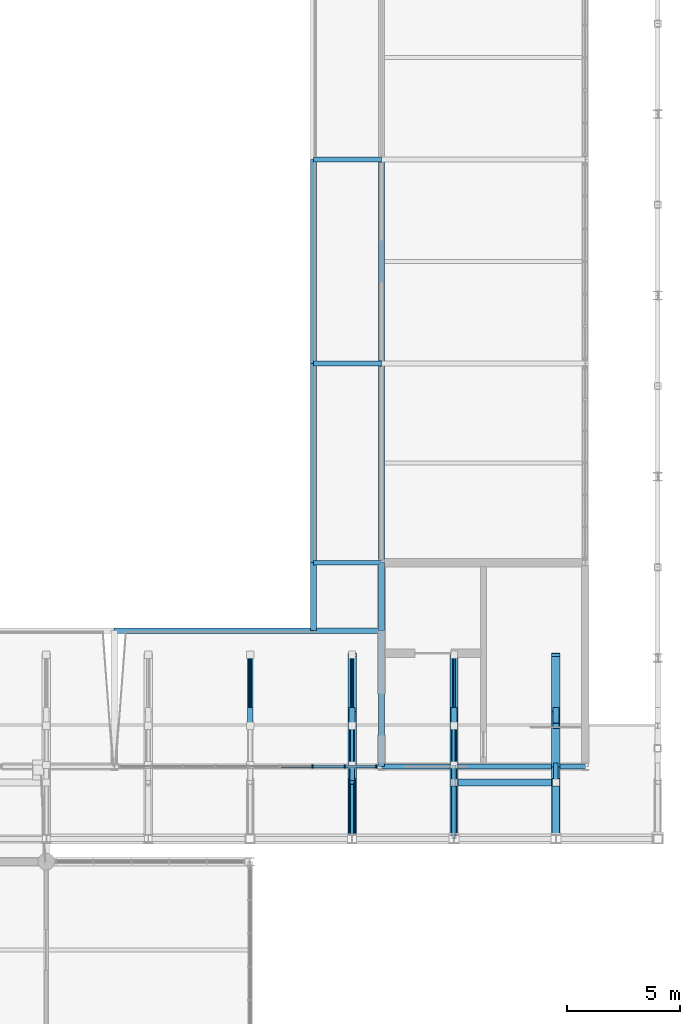
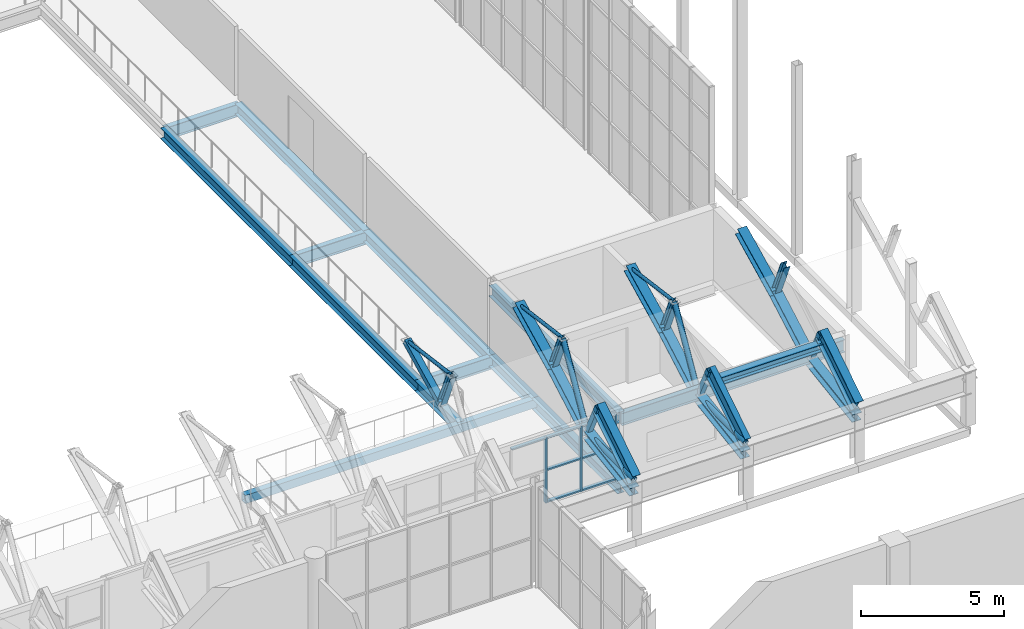
# One storey, part 80 of 134: 35 members, 16 beams, 1 element without a shape of its own.
"""IFC4 building model written with IfcOpenShell, lengths in metres."""

from ifc_helpers import new_model, si_unit, direction, frame, origin, origin_2d, place, context, subcontext, project, spatial, rectangle, hollow_rectangle, hollow_circle, i_section, extrude, material, layer, layer_set, material_profile, profile_set, type_object, element, aggregate, save


model = new_model("IFC4")

# Units and contexts
model_context = context("Model", 3, precision=1e-05, world=origin(), true_north=direction((0.0, 1.0)))
body_context = subcontext(model_context, "Body", "Model", "MODEL_VIEW")
ifc_project = project(units=[si_unit("LENGTHUNIT", "METRE"), si_unit("AREAUNIT", "SQUARE_METRE"), si_unit("VOLUMEUNIT", "CUBIC_METRE"), si_unit("PLANEANGLEUNIT", "RADIAN"), si_unit("MASSUNIT", "GRAM", prefix="KILO")], contexts=[model_context])

# Site, building, storey
site_placement = place(None, origin())
site = spatial("IfcSite", under=ifc_project, at=site_placement, CompositionType="ELEMENT")
building_placement = place(site_placement, origin())
building = spatial("IfcBuilding", under=site, at=building_placement, Name="Cazmaro Siding Exhibition Halls", CompositionType="ELEMENT")
storey_placement = place(building_placement, frame((0.0, 0.0, 12.0)))
storey = spatial("IfcBuildingStorey", under=building, at=storey_placement, Name="L02", CompositionType="ELEMENT", Elevation=12.0)

# Beams
ifc_material_1 = material(Name="Steel ASTM A992 Grade 50", Category="steel")
ifc_material_profile_1 = material_profile(ifc_material_1, i_section(OverallWidth=0.327880859375, OverallDepth=0.626953125, WebThickness=0.01708984375, FlangeThickness=0.028076171875, at=origin_2d()), Name="W24X146")
ifc_profile_set_1 = profile_set([ifc_material_profile_1], Name="Steel ASTM A992 Grade 50")
beam_type_1 = type_object("IfcBeamType", Name="AR-01", PredefinedType="USERDEFINED", material=ifc_profile_set_1)
beam_1_placement = place(storey_placement, frame((166.5, 64.0, 2.300048828125), z_axis=(0.0, 0.843339173298, 0.537381650954), x_axis=(-1.0, 0.0, 0.0)))
element("IfcBeam", 1, at=beam_1_placement, inside=storey, type_object=beam_type_1, Name="Space frame barrel vault arched rib AR-01 BM-1183", ObjectType="ARCHED RIB", PredefinedType="USERDEFINED", context=body_context, shape_type="SweptSolid", body=[
    extrude(i_section(OverallWidth=0.327880859375, OverallDepth=0.626953125, WebThickness=0.01708984375, FlangeThickness=0.028076171875, at=origin_2d()), origin(), (0.0, 0.0, 1.0), 2.96435546875),
])
ifc_material_2 = material(Name="Steel ASTM A992 Grade 50", Category="steel")
ifc_material_profile_2 = material_profile(ifc_material_2, i_section(OverallWidth=0.324951171875, OverallDepth=0.612060546875, WebThickness=0.012939453125, FlangeThickness=0.01904296875, at=origin_2d()), Name="W24X104")
ifc_profile_set_2 = profile_set([ifc_material_profile_2], Name="Steel ASTM A992 Grade 50")
beam_type_2 = type_object("IfcBeamType", Name="AR-02", PredefinedType="USERDEFINED", material=ifc_profile_set_2)
beam_2_placement = place(storey_placement, frame((157.5, 64.0, 2.300048828125), z_axis=(0.0, 0.843339173298, 0.537381650954), x_axis=(-1.0, 0.0, 0.0)))
element("IfcBeam", 2, at=beam_2_placement, inside=storey, type_object=beam_type_2, Name="Space frame barrel vault arched rib AR-02 BM-1135", ObjectType="ARCHED RIB", PredefinedType="USERDEFINED", context=body_context, shape_type="SweptSolid", body=[
    extrude(i_section(OverallWidth=0.324951171875, OverallDepth=0.612060546875, WebThickness=0.012939453125, FlangeThickness=0.01904296875, at=origin_2d()), origin(), (0.0, 0.0, 1.0), 2.96435546875),
])
ifc_material_3 = material(Name="Steel ASTM A992 Grade 50", Category="steel")
ifc_material_profile_3 = material_profile(ifc_material_3, i_section(OverallWidth=0.22900390625, OverallDepth=0.612060546875, WebThickness=0.011962890625, FlangeThickness=0.02001953125, at=origin_2d()), Name="W24X84")
ifc_profile_set_3 = profile_set([ifc_material_profile_3], Name="Steel ASTM A992 Grade 50")
beam_type_3 = type_object("IfcBeamType", Name="AR-03", PredefinedType="USERDEFINED", material=ifc_profile_set_3)
beam_3_placement = place(storey_placement, frame((162.0, 64.0, 2.300048828125), z_axis=(0.0, 0.843339173298, 0.537381650954), x_axis=(-1.0, 0.0, 0.0)))
element("IfcBeam", 3, at=beam_3_placement, inside=storey, type_object=beam_type_3, Name="Space frame barrel vault arched rib AR-03 BM-1159", ObjectType="ARCHED RIB", PredefinedType="USERDEFINED", context=body_context, shape_type="SweptSolid", body=[
    extrude(i_section(OverallWidth=0.22900390625, OverallDepth=0.612060546875, WebThickness=0.011962890625, FlangeThickness=0.02001953125, at=origin_2d()), origin(), (0.0, 0.0, 1.0), 2.96435546875),
])
ifc_material_4 = material(Name="Steel ASTM A992 Grade 50", Category="steel")
ifc_material_profile_4 = material_profile(ifc_material_4, i_section(OverallWidth=0.2099609375, OverallDepth=0.535888671875, WebThickness=0.010986328125, FlangeThickness=0.01708984375, at=origin_2d()), Name="W21X68")
ifc_profile_set_4 = profile_set([ifc_material_profile_4], Name="Steel ASTM A992 Grade 50")
beam_type_4 = type_object("IfcBeamType", Name="B-02", PredefinedType="BEAM", material=ifc_profile_set_4)
beam_4_placement = place(storey_placement, frame((158.800048828125, 67.199951171875, 2.52197265625), z_axis=(1.0, 0.0, 0.0), x_axis=(0.0, 1.0, 0.0)))
element("IfcBeam", 4, at=beam_4_placement, inside=storey, type_object=beam_type_4, Name="Beam B-02 BM-0257", PredefinedType="BEAM", context=body_context, shape_type="SweptSolid", body=[
    extrude(i_section(OverallWidth=0.2099609375, OverallDepth=0.535888671875, WebThickness=0.010986328125, FlangeThickness=0.01708984375, at=origin_2d()), origin(), (0.0, 0.0, 1.0), 9.0),
])
for number, where, z_axis, x_axis, name in (
    (5, (155.800048828125, 76.199951171875, -0.488037109375), (1.0, 0.0, 0.0), (0.0, 1.0, 0.0), "Beam B-02 BM-0508"),
    (6, (155.800048828125, 85.0, -0.488037109375), (1.0, 0.0, 0.0), (0.0, 1.0, 0.0), "Beam B-02 BM-0509"),
    (7, (155.800048828125, 94.0, -0.488037109375), (1.0, 0.0, 0.0), (0.0, 1.0, 0.0), "Beam B-02 BM-0510"),
):
    element("IfcBeam", number, at=place(storey_placement, frame(where, z_axis=z_axis, x_axis=x_axis)), inside=storey, type_object=beam_type_4, Name=name, PredefinedType="BEAM", context=body_context, shape_type="SweptSolid", body=[
        extrude(i_section(OverallWidth=0.2099609375, OverallDepth=0.535888671875, WebThickness=0.010986328125, FlangeThickness=0.01708984375, at=origin_2d()), origin(), (0.0, 0.0, 1.0), 3.0),
    ])
ifc_material_5 = material(Name="Steel ASTM A992 Grade 50", Category="steel")
ifc_material_profile_5 = material_profile(ifc_material_5, i_section(OverallWidth=0.279052734375, OverallDepth=0.4619140625, WebThickness=0.010986328125, FlangeThickness=0.01708984375, at=origin_2d()), Name="W18X76")
ifc_profile_set_5 = profile_set([ifc_material_profile_5], Name="Steel ASTM A992 Grade 50")
beam_type_5 = type_object("IfcBeamType", Name="B-03", PredefinedType="BEAM", material=ifc_profile_set_5)
beam_5_placement = place(storey_placement, frame((158.800048828125, 67.199951171875, 2.55908203125), z_axis=(0.0, 1.0, 0.0), x_axis=(-1.0, 0.0, 0.0)))
element("IfcBeam", 8, at=beam_5_placement, inside=storey, type_object=beam_type_5, Name="Beam B-03 BM-0259", PredefinedType="BEAM", context=body_context, shape_type="SweptSolid", body=[
    extrude(i_section(OverallWidth=0.279052734375, OverallDepth=0.4619140625, WebThickness=0.010986328125, FlangeThickness=0.01708984375, at=origin_2d()), origin(), (0.0, 0.0, 1.0), 9.0),
])
beam_6_placement = place(storey_placement, frame((158.800048828125, 67.199951171875, -0.450927734375), z_axis=(0.0, 1.0, 0.0), x_axis=(-1.0, 0.0, 0.0)))
element("IfcBeam", 9, at=beam_6_placement, inside=storey, type_object=beam_type_5, Name="Beam B-03 BM-0484", PredefinedType="BEAM", context=body_context, shape_type="SweptSolid", body=[
    extrude(i_section(OverallWidth=0.279052734375, OverallDepth=0.4619140625, WebThickness=0.010986328125, FlangeThickness=0.01708984375, at=origin_2d()), origin(), (0.0, 0.0, 1.0), 6.0),
])
for number, where, z_axis, x_axis, name in (
    (10, (155.800048828125, 76.199951171875, -0.450927734375), (0.0, 1.0, 0.0), (-1.0, 0.0, 0.0), "Beam B-03 BM-0512"),
    (11, (158.800048828125, 76.199951171875, -0.450927734375), (0.0, 1.0, 0.0), (-1.0, 0.0, 0.0), "Beam B-03 BM-0513"),
):
    element("IfcBeam", number, at=place(storey_placement, frame(where, z_axis=z_axis, x_axis=x_axis)), inside=storey, type_object=beam_type_5, Name=name, PredefinedType="BEAM", context=body_context, shape_type="SweptSolid", body=[
        extrude(i_section(OverallWidth=0.279052734375, OverallDepth=0.4619140625, WebThickness=0.010986328125, FlangeThickness=0.01708984375, at=origin_2d()), origin(), (0.0, 0.0, 1.0), 8.800048828125),
    ])
for number, where, z_axis, x_axis, name in (
    (12, (155.800048828125, 85.0, -0.450927734375), (0.0, 1.0, 0.0), (-1.0, 0.0, 0.0), "Beam B-03 BM-0514"),
    (13, (158.800048828125, 85.0, -0.450927734375), (0.0, 1.0, 0.0), (-1.0, 0.0, 0.0), "Beam B-03 BM-0515"),
):
    element("IfcBeam", number, at=place(storey_placement, frame(where, z_axis=z_axis, x_axis=x_axis)), inside=storey, type_object=beam_type_5, Name=name, PredefinedType="BEAM", context=body_context, shape_type="SweptSolid", body=[
        extrude(i_section(OverallWidth=0.279052734375, OverallDepth=0.4619140625, WebThickness=0.010986328125, FlangeThickness=0.01708984375, at=origin_2d()), origin(), (0.0, 0.0, 1.0), 9.0),
    ])
for number, where, z_axis, x_axis, name in (
    (14, (155.800048828125, 73.199951171875, -0.450927734375), (0.0, 1.0, 0.0), (-1.0, 0.0, 0.0), "Beam B-03 BM-0533"),
    (15, (158.800048828125, 73.199951171875, -0.450927734375), (0.0, 1.0, 0.0), (-1.0, 0.0, 0.0), "Beam B-03 BM-0534"),
):
    element("IfcBeam", number, at=place(storey_placement, frame(where, z_axis=z_axis, x_axis=x_axis)), inside=storey, type_object=beam_type_5, Name=name, PredefinedType="BEAM", context=body_context, shape_type="SweptSolid", body=[
        extrude(i_section(OverallWidth=0.279052734375, OverallDepth=0.4619140625, WebThickness=0.010986328125, FlangeThickness=0.01708984375, at=origin_2d()), origin(), (0.0, 0.0, 1.0), 3.0),
    ])
ifc_material_6 = material(Name="Steel ASTM A500 Grade C", Category="steel")
ifc_material_profile_6 = material_profile(ifc_material_6, hollow_rectangle(XDim=0.25390625, YDim=0.35595703125, WallThickness=0.014892578125, at=origin_2d()), Name="HSS14X10X5/8")
ifc_profile_set_6 = profile_set([ifc_material_profile_6], Name="Steel ASTM A500 Grade C")
beam_type_6 = type_object("IfcBeamType", Name="B-06", PredefinedType="BEAM", material=ifc_profile_set_6)
beam_7_placement = place(storey_placement, frame((147.0, 73.199951171875, -0.39794921875), z_axis=(1.0, 0.0, 0.0), x_axis=(0.0, 1.0, 0.0)))
element("IfcBeam", 16, at=beam_7_placement, inside=storey, type_object=beam_type_6, Name="Beam B-06 BM-0472", PredefinedType="BEAM", context=body_context, shape_type="SweptSolid", body=[
    extrude(hollow_rectangle(XDim=0.25390625, YDim=0.35595703125, WallThickness=0.014892578125, at=origin_2d()), origin(), (0.0, 0.0, 1.0), 11.800048828125),
])

# Member
ifc_material_7 = material(Name="Steel ASTM A992 Grade 50", Category="steel")
ifc_material_profile_7 = material_profile(ifc_material_7, i_section(OverallWidth=0.306884765625, OverallDepth=0.31396484375, WebThickness=0.011962890625, FlangeThickness=0.01904296875, at=origin_2d()), Name="W12X79")
ifc_profile_set_7 = profile_set([ifc_material_profile_7], Name="Steel ASTM A992 Grade 50")
member_type_1 = type_object("IfcMemberType", Name="CS-02", PredefinedType="STRUT", material=ifc_profile_set_7)
member_1_placement = place(storey_placement, frame((162.0, 66.5, 3.35302734375), z_axis=(1.0, 0.0, 0.0), x_axis=(0.0, 1.0, 0.0)))
element("IfcMember", 17, at=member_1_placement, inside=storey, type_object=member_type_1, Name="Space frame vault springing strut CS-02 MEM-2290", PredefinedType="STRUT", context=body_context, shape_type="SweptSolid", body=[
    extrude(i_section(OverallWidth=0.306884765625, OverallDepth=0.31396484375, WebThickness=0.011962890625, FlangeThickness=0.01904296875, at=origin_2d()), origin(), (0.0, 0.0, 1.0), 4.5),
])

# Curtain wall, members
ifc_material_8 = material(Name="Anodized Bronze Aluminum and Solar-Control Low-E Glazing", Category="aluminium")
ifc_layer = layer(ifc_material_8, 0.159912109375)
ifc_layer_set = layer_set([ifc_layer], Name="Anodized Bronze Aluminum and Solar-Control Low-E Glazing")
curtain_wall_type = type_object("IfcCurtainWallType", Name="CWS-04", PredefinedType="USERDEFINED", material=ifc_layer_set)
curtain_wall_placement = place(storey_placement, origin())
curtain_wall = element("IfcCurtainWall", 18, at=curtain_wall_placement, inside=storey, type_object=curtain_wall_type, Name="Clerestory Curtain Wall CWS-04 CW-045", ObjectType="CLERESTORY CURTAIN WALL", PredefinedType="USERDEFINED")
ifc_material_9 = material(Name="Anodized Bronze Extruded Aluminum", Category="aluminium")
ifc_material_profile_8 = material_profile(ifc_material_9, rectangle(XDim=0.159912109375, YDim=0.06005859375, at=origin_2d()), Name="CWM-04")
ifc_profile_set_8 = profile_set([ifc_material_profile_8], Name="Anodized Bronze Extruded Aluminum")
member_type_2 = type_object("IfcMemberType", Name="CWM-04", PredefinedType="MULLION", material=ifc_profile_set_8)
member_2_placement = place(storey_placement, frame((155.75146484375, 67.199951171875, 0.0), z_axis=(0.0, 0.0, 1.0), x_axis=(0.0, 1.0, 0.0)))
member_2 = element("IfcMember", 19, at=member_2_placement, type_object=member_type_2, Name="CWS-04 mullion 7", PredefinedType="MULLION", context=body_context, shape_type="SweptSolid", body=[
    extrude(rectangle(XDim=0.159912109375, YDim=0.06005859375, at=origin_2d()), origin(), (0.0, 0.0, 1.0), 2.800048828125),
])
member_3_placement = place(storey_placement, frame((157.17724609375, 67.199951171875, 0.0), z_axis=(0.0, 0.0, 1.0), x_axis=(0.0, 1.0, 0.0)))
member_3 = element("IfcMember", 20, at=member_3_placement, type_object=member_type_2, Name="CWS-04 mullion 8", PredefinedType="MULLION", context=body_context, shape_type="SweptSolid", body=[
    extrude(rectangle(XDim=0.159912109375, YDim=0.06005859375, at=origin_2d()), origin(), (0.0, 0.0, 1.0), 2.800048828125),
])
member_4_placement = place(storey_placement, frame((158.572998046875, 67.199951171875, 0.0), z_axis=(0.0, 0.0, 1.0), x_axis=(0.0, 1.0, 0.0)))
member_4 = element("IfcMember", 21, at=member_4_placement, type_object=member_type_2, Name="CWS-04 mullion 9", PredefinedType="MULLION", context=body_context, shape_type="SweptSolid", body=[
    extrude(rectangle(XDim=0.159912109375, YDim=0.06005859375, at=origin_2d()), origin(), (0.0, 0.0, 1.0), 2.800048828125),
])
ifc_material_10 = material(Name="Anodized Bronze Extruded Aluminum", Category="aluminium")
ifc_material_profile_9 = material_profile(ifc_material_10, rectangle(XDim=0.139892578125, YDim=0.06005859375, at=origin_2d()), Name="CWT-04")
ifc_profile_set_9 = profile_set([ifc_material_profile_9], Name="Anodized Bronze Extruded Aluminum")
member_type_3 = type_object("IfcMemberType", Name="CWT-04", PredefinedType="MULLION", material=ifc_profile_set_9)
member_5_placement = place(storey_placement, frame((154.355712890625, 67.199951171875, 2.77001953125), z_axis=(1.0, 0.0, 0.0), x_axis=(0.0, 1.0, 0.0)))
member_5 = element("IfcMember", 22, at=member_5_placement, type_object=member_type_3, Name="CWS-04 transom 6.3", ObjectType="TRANSOM", PredefinedType="USERDEFINED", context=body_context, shape_type="SweptSolid", body=[
    extrude(rectangle(XDim=0.139892578125, YDim=0.06005859375, at=origin_2d()), origin(), (0.0, 0.0, 1.0), 1.36572265625),
])
member_6_placement = place(storey_placement, frame((155.781494140625, 67.199951171875, 0.030029296875), z_axis=(1.0, 0.0, 0.0), x_axis=(0.0, 1.0, 0.0)))
member_6 = element("IfcMember", 23, at=member_6_placement, type_object=member_type_3, Name="CWS-04 transom 7.1", ObjectType="TRANSOM", PredefinedType="USERDEFINED", context=body_context, shape_type="SweptSolid", body=[
    extrude(rectangle(XDim=0.139892578125, YDim=0.06005859375, at=origin_2d()), origin(), (0.0, 0.0, 1.0), 1.36572265625),
])
member_7_placement = place(storey_placement, frame((155.781494140625, 67.199951171875, 1.39990234375), z_axis=(1.0, 0.0, 0.0), x_axis=(0.0, 1.0, 0.0)))
member_7 = element("IfcMember", 24, at=member_7_placement, type_object=member_type_3, Name="CWS-04 transom 7.2", ObjectType="TRANSOM", PredefinedType="USERDEFINED", context=body_context, shape_type="SweptSolid", body=[
    extrude(rectangle(XDim=0.139892578125, YDim=0.06005859375, at=origin_2d()), origin(), (0.0, 0.0, 1.0), 1.36572265625),
])
member_8_placement = place(storey_placement, frame((155.781494140625, 67.199951171875, 2.77001953125), z_axis=(1.0, 0.0, 0.0), x_axis=(0.0, 1.0, 0.0)))
member_8 = element("IfcMember", 25, at=member_8_placement, type_object=member_type_3, Name="CWS-04 transom 7.3", ObjectType="TRANSOM", PredefinedType="USERDEFINED", context=body_context, shape_type="SweptSolid", body=[
    extrude(rectangle(XDim=0.139892578125, YDim=0.06005859375, at=origin_2d()), origin(), (0.0, 0.0, 1.0), 1.36572265625),
])
member_9_placement = place(storey_placement, frame((157.207275390625, 67.199951171875, 0.030029296875), z_axis=(1.0, 0.0, 0.0), x_axis=(0.0, 1.0, 0.0)))
member_9 = element("IfcMember", 26, at=member_9_placement, type_object=member_type_3, Name="CWS-04 transom 8.1", ObjectType="TRANSOM", PredefinedType="USERDEFINED", context=body_context, shape_type="SweptSolid", body=[
    extrude(rectangle(XDim=0.139892578125, YDim=0.06005859375, at=origin_2d()), origin(), (0.0, 0.0, 1.0), 1.335693359375),
])
member_10_placement = place(storey_placement, frame((157.207275390625, 67.199951171875, 1.39990234375), z_axis=(1.0, 0.0, 0.0), x_axis=(0.0, 1.0, 0.0)))
member_10 = element("IfcMember", 27, at=member_10_placement, type_object=member_type_3, Name="CWS-04 transom 8.2", ObjectType="TRANSOM", PredefinedType="USERDEFINED", context=body_context, shape_type="SweptSolid", body=[
    extrude(rectangle(XDim=0.139892578125, YDim=0.06005859375, at=origin_2d()), origin(), (0.0, 0.0, 1.0), 1.335693359375),
])
member_11_placement = place(storey_placement, frame((157.207275390625, 67.199951171875, 2.77001953125), z_axis=(1.0, 0.0, 0.0), x_axis=(0.0, 1.0, 0.0)))
member_11 = element("IfcMember", 28, at=member_11_placement, type_object=member_type_3, Name="CWS-04 transom 8.3", ObjectType="TRANSOM", PredefinedType="USERDEFINED", context=body_context, shape_type="SweptSolid", body=[
    extrude(rectangle(XDim=0.139892578125, YDim=0.06005859375, at=origin_2d()), origin(), (0.0, 0.0, 1.0), 1.335693359375),
])
aggregate(curtain_wall, [member_2, member_3, member_4, member_5, member_6, member_7, member_8, member_9, member_10, member_11])

# Members
ifc_material_11 = material(Name="Steel ASTM A500 Grade C", Category="steel")
ifc_material_profile_10 = material_profile(ifc_material_11, hollow_rectangle(XDim=0.25390625, YDim=0.25390625, WallThickness=0.014892578125, at=origin_2d()), Name="HSS10X10X5/8")
ifc_profile_set_10 = profile_set([ifc_material_profile_10], Name="Steel ASTM A500 Grade C")
member_type_4 = type_object("IfcMemberType", Name="TC-01", PredefinedType="CHORD", material=ifc_profile_set_10)
member_12_placement = place(storey_placement, frame((153.0, 69.700927734375, 3.675048828125), z_axis=(0.0, 0.896077457924, 0.443897724033), x_axis=(-1.0, 0.0, 0.0)))
element("IfcMember", 29, at=member_12_placement, inside=storey, type_object=member_type_4, Name="Space frame barrel vault bottom chord TC-01 MEM-1661", PredefinedType="CHORD", context=body_context, shape_type="SweptSolid", body=[
    extrude(hollow_rectangle(XDim=0.25390625, YDim=0.25390625, WallThickness=0.014892578125, at=origin_2d()), origin(), (0.0, 0.0, 1.0), 2.7119140625),
])
ifc_material_12 = material(Name="Steel ASTM A992 Grade 50", Category="steel")
ifc_material_profile_11 = material_profile(ifc_material_12, i_section(OverallWidth=0.37109375, OverallDepth=0.364013671875, WebThickness=0.012939453125, FlangeThickness=0.02197265625, at=origin_2d()), Name="W14X109")
ifc_profile_set_11 = profile_set([ifc_material_profile_11], Name="Steel ASTM A992 Grade 50")
member_type_5 = type_object("IfcMemberType", Name="TC-06", PredefinedType="CHORD", material=ifc_profile_set_11)
member_13_placement = place(storey_placement, frame((157.5, 64.0, 1.800048828125), z_axis=(0.0, 0.988252010809, 0.152833121839), x_axis=(-1.0, 0.0, 0.0)))
element("IfcMember", 30, at=member_13_placement, inside=storey, type_object=member_type_5, Name="Space frame barrel vault bottom chord TC-06 MEM-1728", PredefinedType="CHORD", context=body_context, shape_type="SweptSolid", body=[
    extrude(i_section(OverallWidth=0.37109375, OverallDepth=0.364013671875, WebThickness=0.012939453125, FlangeThickness=0.02197265625, at=origin_2d()), origin(), (0.0, 0.0, 1.0), 3.309814453125),
])
member_14_placement = place(storey_placement, frame((157.5, 67.27099609375, 2.305908203125), z_axis=(0.0, 0.871222319466, 0.490888653428), x_axis=(-1.0, 0.0, 0.0)))
element("IfcMember", 31, at=member_14_placement, inside=storey, type_object=member_type_5, Name="Space frame barrel vault bottom chord TC-06 MEM-1730", PredefinedType="CHORD", context=body_context, shape_type="SweptSolid", body=[
    extrude(i_section(OverallWidth=0.37109375, OverallDepth=0.364013671875, WebThickness=0.012939453125, FlangeThickness=0.02197265625, at=origin_2d()), origin(), (0.0, 0.0, 1.0), 2.7890625),
])
member_15_placement = place(storey_placement, frame((157.5, 69.700927734375, 3.675048828125), z_axis=(0.0, 0.896077457924, 0.443897724033), x_axis=(-1.0, 0.0, 0.0)))
element("IfcMember", 32, at=member_15_placement, inside=storey, type_object=member_type_5, Name="Space frame barrel vault bottom chord TC-06 MEM-1732", PredefinedType="CHORD", context=body_context, shape_type="SweptSolid", body=[
    extrude(i_section(OverallWidth=0.37109375, OverallDepth=0.364013671875, WebThickness=0.012939453125, FlangeThickness=0.02197265625, at=origin_2d()), origin(), (0.0, 0.0, 1.0), 2.7119140625),
])
member_16_placement = place(storey_placement, frame((162.0, 64.0, 1.800048828125), z_axis=(0.0, 0.988252010809, 0.152833121839), x_axis=(-1.0, 0.0, 0.0)))
element("IfcMember", 33, at=member_16_placement, inside=storey, type_object=member_type_5, Name="Space frame barrel vault bottom chord TC-06 MEM-1799", PredefinedType="CHORD", context=body_context, shape_type="SweptSolid", body=[
    extrude(i_section(OverallWidth=0.37109375, OverallDepth=0.364013671875, WebThickness=0.012939453125, FlangeThickness=0.02197265625, at=origin_2d()), origin(), (0.0, 0.0, 1.0), 3.309814453125),
])
member_17_placement = place(storey_placement, frame((162.0, 67.27099609375, 2.305908203125), z_axis=(0.0, 0.871222319466, 0.490888653428), x_axis=(-1.0, 0.0, 0.0)))
element("IfcMember", 34, at=member_17_placement, inside=storey, type_object=member_type_5, Name="Space frame barrel vault bottom chord TC-06 MEM-1801", PredefinedType="CHORD", context=body_context, shape_type="SweptSolid", body=[
    extrude(i_section(OverallWidth=0.37109375, OverallDepth=0.364013671875, WebThickness=0.012939453125, FlangeThickness=0.02197265625, at=origin_2d()), origin(), (0.0, 0.0, 1.0), 2.7890625),
])
member_18_placement = place(storey_placement, frame((162.0, 69.700927734375, 3.675048828125), z_axis=(0.0, 0.896077457924, 0.443897724033), x_axis=(-1.0, 0.0, 0.0)))
element("IfcMember", 35, at=member_18_placement, inside=storey, type_object=member_type_5, Name="Space frame barrel vault bottom chord TC-06 MEM-1803", PredefinedType="CHORD", context=body_context, shape_type="SweptSolid", body=[
    extrude(i_section(OverallWidth=0.37109375, OverallDepth=0.364013671875, WebThickness=0.012939453125, FlangeThickness=0.02197265625, at=origin_2d()), origin(), (0.0, 0.0, 1.0), 2.7119140625),
])
member_19_placement = place(storey_placement, frame((166.5, 64.0, 1.800048828125), z_axis=(0.0, 0.988252010809, 0.152833121839), x_axis=(-1.0, 0.0, 0.0)))
element("IfcMember", 36, at=member_19_placement, inside=storey, type_object=member_type_5, Name="Space frame barrel vault bottom chord TC-06 MEM-1870", PredefinedType="CHORD", context=body_context, shape_type="SweptSolid", body=[
    extrude(i_section(OverallWidth=0.37109375, OverallDepth=0.364013671875, WebThickness=0.012939453125, FlangeThickness=0.02197265625, at=origin_2d()), origin(), (0.0, 0.0, 1.0), 3.309814453125),
])
member_20_placement = place(storey_placement, frame((166.5, 67.27099609375, 2.305908203125), z_axis=(0.0, 0.871222319466, 0.490888653428), x_axis=(-1.0, 0.0, 0.0)))
element("IfcMember", 37, at=member_20_placement, inside=storey, type_object=member_type_5, Name="Space frame barrel vault bottom chord TC-06 MEM-1871", PredefinedType="CHORD", context=body_context, shape_type="SweptSolid", body=[
    extrude(i_section(OverallWidth=0.37109375, OverallDepth=0.364013671875, WebThickness=0.012939453125, FlangeThickness=0.02197265625, at=origin_2d()), origin(), (0.0, 0.0, 1.0), 2.7890625),
])
member_21_placement = place(storey_placement, frame((166.5, 69.700927734375, 3.675048828125), z_axis=(0.0, 0.896077457924, 0.443897724033), x_axis=(-1.0, 0.0, 0.0)))
element("IfcMember", 38, at=member_21_placement, inside=storey, type_object=member_type_5, Name="Space frame barrel vault bottom chord TC-06 MEM-1872", PredefinedType="CHORD", context=body_context, shape_type="SweptSolid", body=[
    extrude(i_section(OverallWidth=0.37109375, OverallDepth=0.364013671875, WebThickness=0.012939453125, FlangeThickness=0.02197265625, at=origin_2d()), origin(), (0.0, 0.0, 1.0), 2.7119140625),
])
ifc_material_13 = material(Name="Steel ASTM A500 Grade C", Category="steel")
ifc_material_profile_12 = material_profile(ifc_material_13, hollow_rectangle(XDim=0.202880859375, YDim=0.202880859375, WallThickness=0.011962890625, at=origin_2d()), Name="HSS8X8X1/2")
ifc_profile_set_12 = profile_set([ifc_material_profile_12], Name="Steel ASTM A500 Grade C")
member_type_6 = type_object("IfcMemberType", Name="TP-01", PredefinedType="POST", material=ifc_profile_set_12)
for number, where, z_axis, x_axis, name in (
    (39, (157.5, 67.27099609375, 2.305908203125), (0.0, -0.436945543824, 0.89948796086), (1.0, 0.0, 0.0), "Space frame barrel vault post TP-01 MEM-1776"),
    (40, (162.0, 67.27099609375, 2.305908203125), (0.0, -0.436945543824, 0.89948796086), (1.0, 0.0, 0.0), "Space frame barrel vault post TP-01 MEM-1847"),
    (41, (166.5, 67.27099609375, 2.305908203125), (0.0, -0.436945543824, 0.89948796086), (1.0, 0.0, 0.0), "Space frame barrel vault post TP-01 MEM-1894"),
):
    element("IfcMember", number, at=place(storey_placement, frame(where, z_axis=z_axis, x_axis=x_axis)), inside=storey, type_object=member_type_6, Name=name, PredefinedType="POST", context=body_context, shape_type="SweptSolid", body=[
        extrude(hollow_rectangle(XDim=0.202880859375, YDim=0.202880859375, WallThickness=0.011962890625, at=origin_2d()), origin(), (0.0, 0.0, 1.0), 1.764404296875),
    ])
ifc_material_14 = material(Name="Steel ASTM A992 Grade 50", Category="steel")
ifc_material_profile_13 = material_profile(ifc_material_14, i_section(OverallWidth=0.25390625, OverallDepth=0.25390625, WebThickness=0.009033203125, FlangeThickness=0.013916015625, at=origin_2d()), Name="W10X49")
ifc_profile_set_13 = profile_set([ifc_material_profile_13], Name="Steel ASTM A992 Grade 50")
member_type_7 = type_object("IfcMemberType", Name="TP-04", PredefinedType="POST", material=ifc_profile_set_13)
for number, where, z_axis, x_axis, name in (
    (42, (153.0, 69.700927734375, 3.675048828125), (0.0, -0.395865434272, 0.918308530913), (1.0, 0.0, 0.0), "Space frame barrel vault post TP-04 MEM-1706"),
    (43, (157.5, 69.700927734375, 3.675048828125), (0.0, -0.395865434272, 0.918308530913), (1.0, 0.0, 0.0), "Space frame barrel vault post TP-04 MEM-1777"),
    (44, (162.0, 69.700927734375, 3.675048828125), (0.0, -0.395865434272, 0.918308530913), (1.0, 0.0, 0.0), "Space frame barrel vault post TP-04 MEM-1848"),
    (45, (166.5, 69.700927734375, 3.675048828125), (0.0, -0.395865434272, 0.918308530913), (1.0, 0.0, 0.0), "Space frame barrel vault post TP-04 MEM-1895"),
):
    element("IfcMember", number, at=place(storey_placement, frame(where, z_axis=z_axis, x_axis=x_axis)), inside=storey, type_object=member_type_7, Name=name, PredefinedType="POST", context=body_context, shape_type="SweptSolid", body=[
        extrude(i_section(OverallWidth=0.25390625, OverallDepth=0.25390625, WebThickness=0.009033203125, FlangeThickness=0.013916015625, at=origin_2d()), origin(), (0.0, 0.0, 1.0), 1.7705078125),
    ])
ifc_material_15 = material(Name="Steel ASTM A500 Grade C", Category="steel")
ifc_material_profile_14 = material_profile(ifc_material_15, hollow_circle(Radius=0.109619140625, WallThickness=0.012939453125, at=origin_2d()), Name="PIPE8XS")
ifc_profile_set_14 = profile_set([ifc_material_profile_14], Name="Steel ASTM A500 Grade C")
member_type_8 = type_object("IfcMemberType", Name="WB-01", PredefinedType="BRACE", material=ifc_profile_set_14)
member_22_placement = place(storey_placement, frame((157.5, 64.0, 2.300048828125), z_axis=(0.0, 0.999998395604, 0.001791309262), x_axis=(-1.0, 0.0, 0.0)))
element("IfcMember", 46, at=member_22_placement, inside=storey, type_object=member_type_8, Name="Space frame barrel vault diagonal WB-01 MEM-1729", PredefinedType="BRACE", context=body_context, shape_type="SweptSolid", body=[
    extrude(hollow_circle(Radius=0.109619140625, WallThickness=0.012939453125, at=origin_2d()), origin(), (0.0, 0.0, 1.0), 3.27099609375),
])
member_23_placement = place(storey_placement, frame((157.5, 67.27099609375, 2.305908203125), z_axis=(0.0, 0.499950595228, 0.866053925764), x_axis=(-1.0, 0.0, 0.0)))
element("IfcMember", 47, at=member_23_placement, inside=storey, type_object=member_type_8, Name="Space frame barrel vault diagonal WB-01 MEM-1731", PredefinedType="BRACE", context=body_context, shape_type="SweptSolid", body=[
    extrude(hollow_circle(Radius=0.109619140625, WallThickness=0.012939453125, at=origin_2d()), origin(), (0.0, 0.0, 1.0), 3.458251953125),
])
member_24_placement = place(storey_placement, frame((162.0, 64.0, 2.300048828125), z_axis=(0.0, 0.999998395604, 0.001791309262), x_axis=(-1.0, 0.0, 0.0)))
element("IfcMember", 48, at=member_24_placement, inside=storey, type_object=member_type_8, Name="Space frame barrel vault diagonal WB-01 MEM-1800", PredefinedType="BRACE", context=body_context, shape_type="SweptSolid", body=[
    extrude(hollow_circle(Radius=0.109619140625, WallThickness=0.012939453125, at=origin_2d()), origin(), (0.0, 0.0, 1.0), 3.27099609375),
])
member_25_placement = place(storey_placement, frame((162.0, 67.27099609375, 2.305908203125), z_axis=(0.0, 0.499950595228, 0.866053925764), x_axis=(-1.0, 0.0, 0.0)))
element("IfcMember", 49, at=member_25_placement, inside=storey, type_object=member_type_8, Name="Space frame barrel vault diagonal WB-01 MEM-1802", PredefinedType="BRACE", context=body_context, shape_type="SweptSolid", body=[
    extrude(hollow_circle(Radius=0.109619140625, WallThickness=0.012939453125, at=origin_2d()), origin(), (0.0, 0.0, 1.0), 3.458251953125),
])
ifc_material_16 = material(Name="Steel ASTM A500 Grade C", Category="steel")
ifc_material_profile_15 = material_profile(ifc_material_16, hollow_circle(Radius=0.070556640625, WallThickness=0.01904296875, at=origin_2d()), Name="PIPE5XXS")
ifc_profile_set_15 = profile_set([ifc_material_profile_15], Name="Steel ASTM A500 Grade C")
member_type_9 = type_object("IfcMemberType", Name="WB-07", PredefinedType="BRACE", material=ifc_profile_set_15)
for number, where, z_axis, x_axis, name in (
    (50, (153.0, 69.0, 5.301025390625), (0.0, 0.991034510477, -0.133606134005), (-1.0, 0.0, 0.0), "Space frame barrel vault diagonal WB-07 MEM-1662"),
    (51, (157.5, 69.0, 5.301025390625), (0.0, 0.991034510477, -0.133606134005), (-1.0, 0.0, 0.0), "Space frame barrel vault diagonal WB-07 MEM-1733"),
    (52, (162.0, 69.0, 5.301025390625), (0.0, 0.991034510477, -0.133606134005), (-1.0, 0.0, 0.0), "Space frame barrel vault diagonal WB-07 MEM-1804"),
):
    element("IfcMember", number, at=place(storey_placement, frame(where, z_axis=z_axis, x_axis=x_axis)), inside=storey, type_object=member_type_9, Name=name, PredefinedType="BRACE", context=body_context, shape_type="SweptSolid", body=[
        extrude(hollow_circle(Radius=0.070556640625, WallThickness=0.01904296875, at=origin_2d()), origin(), (0.0, 0.0, 1.0), 3.159423828125),
    ])

save(model, "model.ifc")
